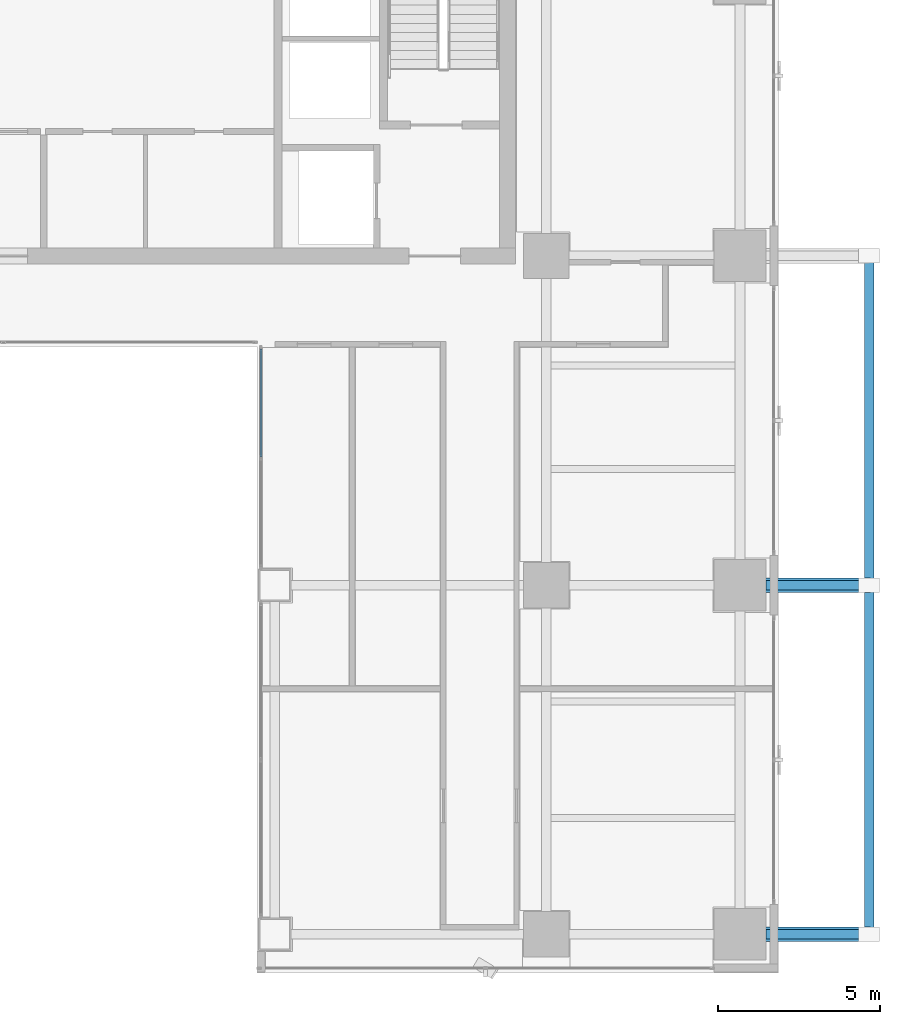
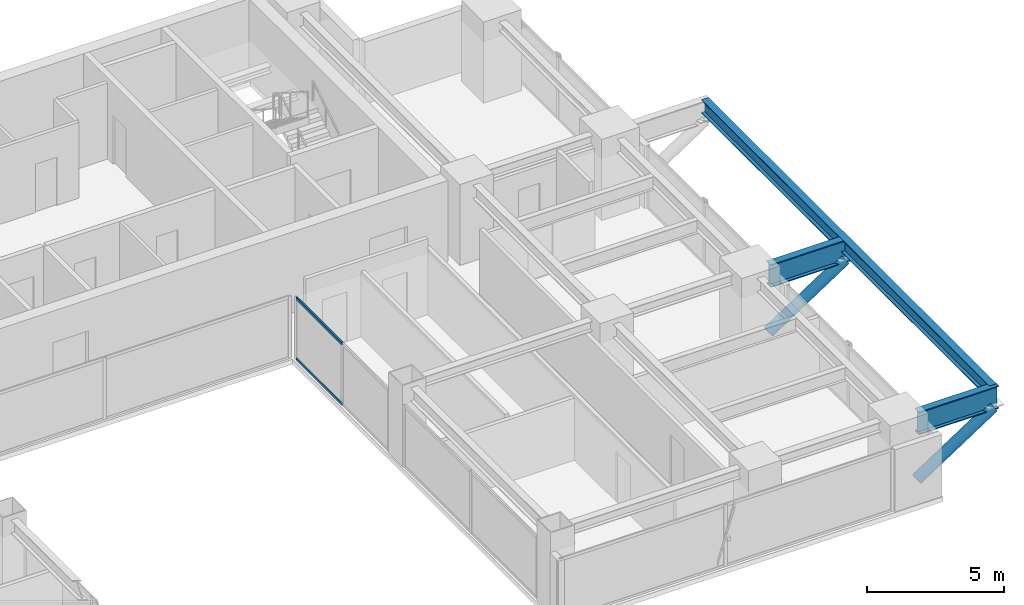
# One storey, part 16 of 31: 4 members, 3 beams, 1 element without a shape of its own.
"""IFC4 building model written with IfcOpenShell, lengths in metres."""

from ifc_helpers import new_model, si_unit, direction, frame, origin, origin_2d, place, context, subcontext, project, spatial, hollow_rectangle, hollow_circle, i_section, extrude, source, transform, mapped, material, layer, layer_set, material_profile, profile_set, type_object, element, aggregate, save


model = new_model("IFC4")

# Units and contexts
model_context = context("Model", 3, precision=1e-05, world=origin(), true_north=direction((0.0, 1.0)))
body_context = subcontext(model_context, "Body", "Model", "MODEL_VIEW")
ifc_project = project(units=[si_unit("LENGTHUNIT", "METRE"), si_unit("AREAUNIT", "SQUARE_METRE"), si_unit("VOLUMEUNIT", "CUBIC_METRE"), si_unit("PLANEANGLEUNIT", "RADIAN"), si_unit("MASSUNIT", "GRAM", prefix="KILO")], contexts=[model_context])

# Site, building, storey
site_placement = place(None, origin())
site = spatial("IfcSite", under=ifc_project, at=site_placement, CompositionType="ELEMENT")
building_placement = place(site_placement, origin())
building = spatial("IfcBuilding", under=site, at=building_placement, Name="Sumidabori Civic Tower", CompositionType="ELEMENT")
storey_placement = place(building_placement, frame((0.0, 0.0, 221.60009765625)))
storey = spatial("IfcBuildingStorey", under=building, at=storey_placement, Name="L57", CompositionType="ELEMENT", Elevation=221.60009765625)

# Beams
ifc_material_1 = material(Name="Steel SN490", Category="steel")
ifc_material_profile_1 = material_profile(ifc_material_1, i_section(OverallWidth=0.302001953125, OverallDepth=1.008056640625, WebThickness=0.02099609375, FlangeThickness=0.0400390625, at=origin_2d()), Name="HE 1000 M")
ifc_profile_set_1 = profile_set([ifc_material_profile_1], Name="Steel SN490")
beam_type_1 = type_object("IfcBeamType", Name="BM-POOL-CANT", PredefinedType="BEAM", material=ifc_profile_set_1)
shared_shape_1 = source(origin(), body_context, "Body", "SweptSolid", [
    extrude(i_section(OverallWidth=0.302001953125, OverallDepth=1.008056640625, WebThickness=0.02099609375, FlangeThickness=0.0400390625, at=origin_2d()), origin(), (0.0, 0.0, 1.0), 3.349853515625),
])
for number, where, z_axis, x_axis, name in (
    (1, (23.60009765625, -10.800048828125, 2.755859375), (1.0, 0.0, 0.0), (0.0, 1.0, 0.0), "Sky Pool Cantilever Girder BP-1-1"),
    (2, (23.60009765625, 0.0, 2.755859375), (1.0, 0.0, 0.0), (0.0, 1.0, 0.0), "Sky Pool Cantilever Girder BP-1-2"),
):
    element("IfcBeam", number, at=place(storey_placement, frame(where, z_axis=z_axis, x_axis=x_axis)), inside=storey, type_object=beam_type_1, Name=name, PredefinedType="BEAM", context=body_context, shape_type="MappedRepresentation", body=[
        mapped(shared_shape_1, transform((0.0, 0.0, 0.0), x_axis=(1.0, 0.0, 0.0), y_axis=(0.0, 1.0, 0.0), z_axis=(0.0, 0.0, 1.0), scale=1.0)),
    ])

# Members
ifc_material_profile_2 = material_profile(ifc_material_1, hollow_circle(Radius=0.228515625, WallThickness=0.02490234375, at=origin_2d()), Name="CHS 457x25")
ifc_profile_set_2 = profile_set([ifc_material_profile_2], Name="Steel SN490")
member_type_1 = type_object("IfcMemberType", Name="MB-POOL-STRUT", PredefinedType="STRUT", material=ifc_profile_set_2)
shared_shape_2 = source(origin(), body_context, "Body", "SweptSolid", [
    extrude(hollow_circle(Radius=0.228515625, WallThickness=0.02490234375, at=origin_2d()), origin(), (0.0, 0.0, 1.0), 3.847412109375),
])
for number, where, z_axis, x_axis, name in (
    (3, (23.580078125, -10.800048828125, 0.199951171875), (0.836899182598, 0.0, 0.547357066426), (0.0, 1.0, 0.0), "Sky Pool Raking Steel Strut MS-1-1"),
    (4, (23.580078125, 0.0, 0.199951171875), (0.836899182598, 0.0, 0.547357066426), (0.0, 1.0, 0.0), "Sky Pool Raking Steel Strut MS-1-2"),
):
    element("IfcMember", number, at=place(storey_placement, frame(where, z_axis=z_axis, x_axis=x_axis)), inside=storey, type_object=member_type_1, Name=name, PredefinedType="STRUT", context=body_context, shape_type="MappedRepresentation", body=[
        mapped(shared_shape_2, transform((0.0, 0.0, 0.0), x_axis=(1.0, 0.0, 0.0), y_axis=(0.0, 1.0, 0.0), z_axis=(0.0, 0.0, 1.0), scale=1.0)),
    ])

# Beam
ifc_material_profile_3 = material_profile(ifc_material_1, i_section(OverallWidth=0.300048828125, OverallDepth=0.60009765625, WebThickness=0.015380859375, FlangeThickness=0.030029296875, at=origin_2d()), Name="HE 600 B")
ifc_profile_set_3 = profile_set([ifc_material_profile_3], Name="Steel SN490")
beam_type_2 = type_object("IfcBeamType", Name="BM-GIRD-600", PredefinedType="BEAM", material=ifc_profile_set_3)
shared_shape_3 = source(origin(), body_context, "Body", "SweptSolid", [
    extrude(i_section(OverallWidth=0.300048828125, OverallDepth=0.60009765625, WebThickness=0.015380859375, FlangeThickness=0.030029296875, at=origin_2d()), origin(), (0.0, 0.0, 1.0), 21.0),
])
beam_placement = place(storey_placement, frame((26.800048828125, -10.800048828125, 2.9599609375), z_axis=(0.0, 1.0, 0.0), x_axis=(-1.0, 0.0, 0.0)))
element("IfcBeam", 5, at=beam_placement, inside=storey, type_object=beam_type_2, Name="Sky Pool Tip Header Beam", PredefinedType="BEAM", context=body_context, shape_type="MappedRepresentation", body=[
    mapped(shared_shape_3, transform((0.0, 0.0, 0.0), x_axis=(1.0, 0.0, 0.0), y_axis=(0.0, 1.0, 0.0), z_axis=(0.0, 0.0, 1.0), scale=1.0)),
])

# Curtain wall, members
ifc_material_2 = material(Name="Anodised Bronze Aluminium AW-6063-T6", Category="aluminium")
ifc_layer = layer(ifc_material_2, 0.179931640625, Name="Anodised Bronze Aluminium AW-6063-T6")
ifc_layer_set = layer_set([ifc_layer], Name="Anodised Bronze Aluminium AW-6063-T6")
curtain_wall_type = type_object("IfcCurtainWallType", Name="CW-SYS-4", PredefinedType="NOTDEFINED", material=ifc_layer_set)
curtain_wall_placement = place(storey_placement, origin())
curtain_wall = element("IfcCurtainWall", 6, at=curtain_wall_placement, inside=storey, type_object=curtain_wall_type, Name="Curtain Wall CW:L57:R06", PredefinedType="NOTDEFINED")
ifc_material_profile_4 = material_profile(ifc_material_2, hollow_rectangle(XDim=0.06005859375, YDim=0.1298828125, WallThickness=0.0048828125, at=origin_2d()), Name="ALU TRANSOM 130x60")
ifc_profile_set_4 = profile_set([ifc_material_profile_4], Name="Anodised Bronze Aluminium AW-6063-T6")
member_type_2 = type_object("IfcMemberType", Name="CW-TRN-130", PredefinedType="USERDEFINED", material=ifc_profile_set_4)
shared_shape_4 = source(origin(), body_context, "Body", "SweptSolid", [
    extrude(hollow_rectangle(XDim=0.06005859375, YDim=0.1298828125, WallThickness=0.0048828125, at=origin_2d()), origin(), (0.0, 0.0, 1.0), 3.330078125),
])
member_1_placement = place(storey_placement, frame((7.969970703125, 7.31005859375, 0.02978515625), z_axis=(0.0, -1.0, 0.0), x_axis=(1.0, 0.0, 0.0)))
member_1 = element("IfcMember", 7, at=member_1_placement, type_object=member_type_2, Name="CW-4 transom 1.1", ObjectType="TRANSOM", PredefinedType="USERDEFINED", context=body_context, shape_type="MappedRepresentation", body=[
    mapped(shared_shape_4, transform((0.0, 0.0, 0.0), x_axis=(1.0, 0.0, 0.0), y_axis=(0.0, 1.0, 0.0), z_axis=(0.0, 0.0, 1.0), scale=1.0)),
])
member_2_placement = place(storey_placement, frame((7.969970703125, 7.31005859375, 2.72998046875), z_axis=(0.0, -1.0, 0.0), x_axis=(1.0, 0.0, 0.0)))
member_2 = element("IfcMember", 8, at=member_2_placement, type_object=member_type_2, Name="CW-4 transom 1.2", ObjectType="TRANSOM", PredefinedType="USERDEFINED", context=body_context, shape_type="MappedRepresentation", body=[
    mapped(shared_shape_4, transform((0.0, 0.0, 0.0), x_axis=(1.0, 0.0, 0.0), y_axis=(0.0, 1.0, 0.0), z_axis=(0.0, 0.0, 1.0), scale=1.0)),
])
aggregate(curtain_wall, [member_1, member_2])

save(model, "model.ifc")
